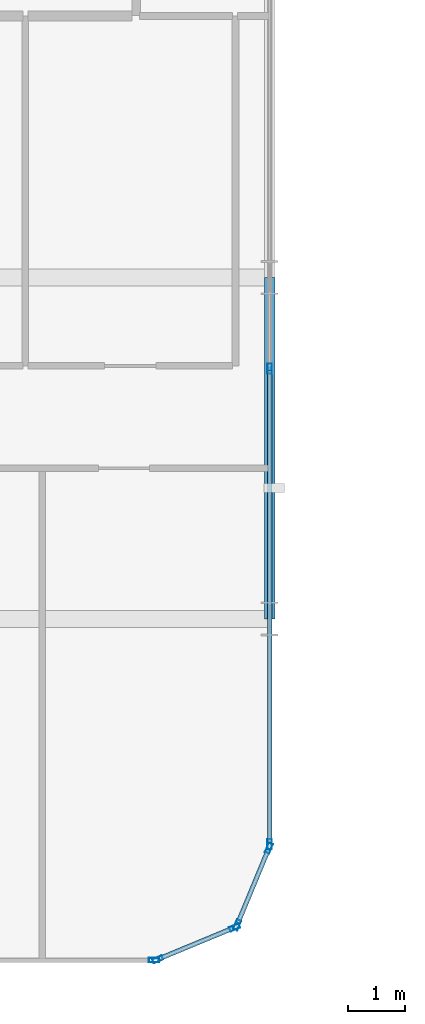
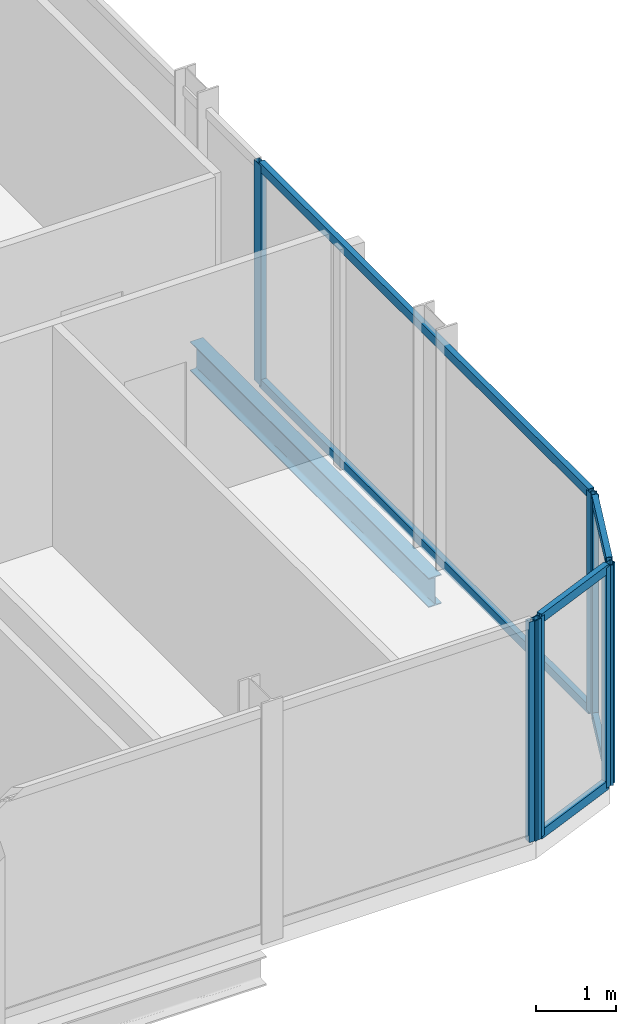
# One storey, part 10 of 29: 13 members, 1 beam, 4 elements without a shape of their own.
"""IFC4 building model written with IfcOpenShell, lengths in metres."""

from ifc_helpers import new_model, si_unit, direction, frame, origin, origin_2d, place, context, subcontext, project, spatial, hollow_rectangle, i_section, extrude, material, layer, layer_set, material_profile, profile_set, type_object, element, aggregate, save


model = new_model("IFC4")

# Units and contexts
model_context = context("Model", 3, precision=1e-05, world=origin(), true_north=direction((0.0, 1.0)))
body_context = subcontext(model_context, "Body", "Model", "MODEL_VIEW")
ifc_project = project(units=[si_unit("LENGTHUNIT", "METRE"), si_unit("AREAUNIT", "SQUARE_METRE"), si_unit("VOLUMEUNIT", "CUBIC_METRE"), si_unit("PLANEANGLEUNIT", "RADIAN"), si_unit("MASSUNIT", "GRAM", prefix="KILO")], contexts=[model_context])

# Site, building, storey
site_placement = place(None, origin())
site = spatial("IfcSite", under=ifc_project, at=site_placement, CompositionType="ELEMENT")
building_placement = place(site_placement, origin())
building = spatial("IfcBuilding", under=site, at=building_placement, Name="Keshet Zoharim Tower", CompositionType="ELEMENT")
storey_placement = place(building_placement, frame((0.0, 0.0, 94.60009765625)))
storey = spatial("IfcBuildingStorey", under=building, at=storey_placement, Name="L22", CompositionType="ELEMENT", Elevation=94.60009765625)

# Beam
ifc_material_1 = material(Name="Steel S355", Category="steel")
ifc_material_profile_1 = material_profile(ifc_material_1, i_section(OverallWidth=0.18994140625, OverallDepth=0.449951171875, WebThickness=0.009521484375, FlangeThickness=0.0146484375, FilletRadius=0.02099609375, at=origin_2d()), Name="IPE450")
ifc_profile_set_1 = profile_set([ifc_material_profile_1], Name="Steel S355")
beam_type = type_object("IfcBeamType", Name="BM-PRI-IP450", PredefinedType="BEAM", material=ifc_profile_set_1)
beam_placement = place(storey_placement, frame((57.0, 6.699951171875, -0.5400390625), z_axis=(0.0, 1.0, 0.0), x_axis=(-1.0, 0.0, 0.0)))
element("IfcBeam", 1, at=beam_placement, inside=storey, type_object=beam_type, Name="L22 Primary Girder Y-013", PredefinedType="BEAM", context=body_context, shape_type="SweptSolid", body=[
    extrude(i_section(OverallWidth=0.18994140625, OverallDepth=0.449951171875, WebThickness=0.009521484375, FlangeThickness=0.0146484375, FilletRadius=0.02099609375, at=origin_2d()), origin(), (0.0, 0.0, 1.0), 6.0),
])

# Curtain wall, members
ifc_material_2 = material(Name="Aluminium 6063-T6", Category="aluminium")
ifc_layer = layer(ifc_material_2, 0.159912109375)
ifc_layer_set = layer_set([ifc_layer], Name="Aluminium 6063-T6")
curtain_wall_type = type_object("IfcCurtainWallType", Name="CW-SYS-03", PredefinedType="NOTDEFINED", material=ifc_layer_set)
curtain_wall_1_placement = place(storey_placement, origin())
curtain_wall_1 = element("IfcCurtainWall", 2, at=curtain_wall_1_placement, inside=storey, type_object=curtain_wall_type, Name="L22 Unitised Curtain Wall 01", PredefinedType="NOTDEFINED")
ifc_material_profile_2 = material_profile(ifc_material_2, hollow_rectangle(XDim=0.080078125, YDim=0.179931640625, WallThickness=0.00439453125, at=origin_2d()), Name="MUL-80x180")
ifc_profile_set_2 = profile_set([ifc_material_profile_2], Name="Aluminium 6063-T6")
member_type_1 = type_object("IfcMemberType", Name="CWM-M18", PredefinedType="MULLION", material=ifc_profile_set_2)
member_1_placement = place(storey_placement, frame((56.986572265625, 2.667724609375, 0.0), z_axis=(0.0, 0.0, 1.0), x_axis=(0.92380975372, -0.382851849847, 0.0)))
member_1 = element("IfcMember", 3, at=member_1_placement, type_object=member_type_1, Name="CW-03 mullion 1", PredefinedType="MULLION", context=body_context, shape_type="SweptSolid", body=[
    extrude(hollow_rectangle(XDim=0.080078125, YDim=0.179931640625, WallThickness=0.00439453125, at=origin_2d()), origin(), (0.0, 0.0, 1.0), 3.385009765625),
])
member_2_placement = place(storey_placement, frame((56.427490234375, 1.318359375, 0.0), z_axis=(0.0, 0.0, 1.0), x_axis=(0.92380975372, -0.382851849847, 0.0)))
member_2 = element("IfcMember", 4, at=member_2_placement, type_object=member_type_1, Name="CW-03 mullion 2", PredefinedType="MULLION", context=body_context, shape_type="SweptSolid", body=[
    extrude(hollow_rectangle(XDim=0.080078125, YDim=0.179931640625, WallThickness=0.00439453125, at=origin_2d()), origin(), (0.0, 0.0, 1.0), 3.385009765625),
])

curtain_wall_2_placement = place(storey_placement, origin())
curtain_wall_2 = element("IfcCurtainWall", 5, at=curtain_wall_2_placement, inside=storey, type_object=curtain_wall_type, Name="L22 Unitised Curtain Wall 02", PredefinedType="NOTDEFINED")
member_3_placement = place(storey_placement, frame((56.381591796875, 1.272705078125, 0.0), z_axis=(0.0, 0.0, 1.0), x_axis=(0.382851849847, -0.92380975372, 0.0)))
member_3 = element("IfcMember", 6, at=member_3_placement, type_object=member_type_1, Name="CW-03 mullion 1", PredefinedType="MULLION", context=body_context, shape_type="SweptSolid", body=[
    extrude(hollow_rectangle(XDim=0.080078125, YDim=0.179931640625, WallThickness=0.00439453125, at=origin_2d()), origin(), (0.0, 0.0, 1.0), 3.385009765625),
])
member_4_placement = place(storey_placement, frame((55.0322265625, 0.71337890625, 0.0), z_axis=(0.0, 0.0, 1.0), x_axis=(0.382851849847, -0.92380975372, 0.0)))
member_4 = element("IfcMember", 7, at=member_4_placement, type_object=member_type_1, Name="CW-03 mullion 2", PredefinedType="MULLION", context=body_context, shape_type="SweptSolid", body=[
    extrude(hollow_rectangle(XDim=0.080078125, YDim=0.179931640625, WallThickness=0.00439453125, at=origin_2d()), origin(), (0.0, 0.0, 1.0), 3.385009765625),
])

# Curtain wall, member
curtain_wall_3_placement = place(storey_placement, origin())
curtain_wall_3 = element("IfcCurtainWall", 8, at=curtain_wall_3_placement, inside=storey, type_object=curtain_wall_type, Name="L22 Unitised Curtain Wall 03", PredefinedType="NOTDEFINED")
member_5_placement = place(storey_placement, frame((54.965087890625, 0.699951171875, 0.0), z_axis=(0.0, 0.0, 1.0), x_axis=(0.0, -1.0, 0.0)))
member_5 = element("IfcMember", 9, at=member_5_placement, type_object=member_type_1, Name="CW-03 mullion 1", PredefinedType="MULLION", context=body_context, shape_type="SweptSolid", body=[
    extrude(hollow_rectangle(XDim=0.080078125, YDim=0.179931640625, WallThickness=0.00439453125, at=origin_2d()), origin(), (0.0, 0.0, 1.0), 3.385009765625),
])
aggregate(curtain_wall_3, [member_5])

# Curtain wall, members
curtain_wall_4_placement = place(storey_placement, origin())
curtain_wall_4 = element("IfcCurtainWall", 10, at=curtain_wall_4_placement, inside=storey, type_object=curtain_wall_type, Name="L22 Unitised Curtain Wall 19", PredefinedType="NOTDEFINED")
member_6_placement = place(storey_placement, frame((57.0, 11.10009765625, 0.0), z_axis=(0.0, 0.0, 1.0), x_axis=(1.0, 0.0, 0.0)))
member_6 = element("IfcMember", 11, at=member_6_placement, type_object=member_type_1, Name="CW-03 mullion 3", PredefinedType="MULLION", context=body_context, shape_type="SweptSolid", body=[
    extrude(hollow_rectangle(XDim=0.080078125, YDim=0.179931640625, WallThickness=0.00439453125, at=origin_2d()), origin(), (0.0, 0.0, 1.0), 3.385009765625),
])
member_7_placement = place(storey_placement, frame((57.0, 2.735107421875, 0.0), z_axis=(0.0, 0.0, 1.0), x_axis=(1.0, 0.0, 0.0)))
member_7 = element("IfcMember", 12, at=member_7_placement, type_object=member_type_1, Name="CW-03 mullion 4", PredefinedType="MULLION", context=body_context, shape_type="SweptSolid", body=[
    extrude(hollow_rectangle(XDim=0.080078125, YDim=0.179931640625, WallThickness=0.00439453125, at=origin_2d()), origin(), (0.0, 0.0, 1.0), 3.385009765625),
])

# Member
ifc_material_profile_3 = material_profile(ifc_material_2, hollow_rectangle(XDim=0.080078125, YDim=0.139892578125, WallThickness=0.00390625, at=origin_2d()), Name="TRN-80x140")
ifc_profile_set_3 = profile_set([ifc_material_profile_3], Name="Aluminium 6063-T6")
member_type_2 = type_object("IfcMemberType", Name="CWT-T14", PredefinedType="USERDEFINED", material=ifc_profile_set_3)
member_8_placement = place(storey_placement, frame((56.97314453125, 2.63525390625, 0.034912109375), z_axis=(-0.382744609247, -0.923854189844, 0.0), x_axis=(0.923854189844, -0.382744609247, 0.0)))
member_8 = element("IfcMember", 13, at=member_8_placement, type_object=member_type_2, Name="CW-03 transom 1.1", ObjectType="TRANSOM", PredefinedType="USERDEFINED", context=body_context, shape_type="SweptSolid", body=[
    extrude(hollow_rectangle(XDim=0.080078125, YDim=0.139892578125, WallThickness=0.00390625, at=origin_2d()), origin(), (0.0, 0.0, 1.0), 1.390625),
])

member_9_placement = place(storey_placement, frame((56.97314453125, 2.63525390625, 3.349853515625), z_axis=(-0.382744609247, -0.923854189844, 0.0), x_axis=(0.923854189844, -0.382744609247, 0.0)))
member_9 = element("IfcMember", 14, at=member_9_placement, type_object=member_type_2, Name="CW-03 transom 1.2", ObjectType="TRANSOM", PredefinedType="USERDEFINED", context=body_context, shape_type="SweptSolid", body=[
    extrude(hollow_rectangle(XDim=0.080078125, YDim=0.139892578125, WallThickness=0.00390625, at=origin_2d()), origin(), (0.0, 0.0, 1.0), 1.390625),
])

aggregate(curtain_wall_1, [member_1, member_2, member_8, member_9])

member_10_placement = place(storey_placement, frame((56.349365234375, 1.25927734375, 0.034912109375), z_axis=(-0.92379209995, -0.382894445076, 0.0), x_axis=(0.382894445076, -0.92379209995, 0.0)))
member_10 = element("IfcMember", 15, at=member_10_placement, type_object=member_type_2, Name="CW-03 transom 1.1", ObjectType="TRANSOM", PredefinedType="USERDEFINED", context=body_context, shape_type="SweptSolid", body=[
    extrude(hollow_rectangle(XDim=0.080078125, YDim=0.139892578125, WallThickness=0.00390625, at=origin_2d()), origin(), (0.0, 0.0, 1.0), 1.390625),
])

member_11_placement = place(storey_placement, frame((56.349365234375, 1.25927734375, 3.349853515625), z_axis=(-0.92379209995, -0.382894445076, 0.0), x_axis=(0.382894445076, -0.92379209995, 0.0)))
member_11 = element("IfcMember", 16, at=member_11_placement, type_object=member_type_2, Name="CW-03 transom 1.2", ObjectType="TRANSOM", PredefinedType="USERDEFINED", context=body_context, shape_type="SweptSolid", body=[
    extrude(hollow_rectangle(XDim=0.080078125, YDim=0.139892578125, WallThickness=0.00390625, at=origin_2d()), origin(), (0.0, 0.0, 1.0), 1.390625),
])

aggregate(curtain_wall_2, [member_3, member_4, member_10, member_11])

member_12_placement = place(storey_placement, frame((57.0, 11.06494140625, 0.034912109375), z_axis=(0.0, -1.0, 0.0), x_axis=(1.0, 0.0, 0.0)))
member_12 = element("IfcMember", 17, at=member_12_placement, type_object=member_type_2, Name="CW-03 transom 3.1", ObjectType="TRANSOM", PredefinedType="USERDEFINED", context=body_context, shape_type="SweptSolid", body=[
    extrude(hollow_rectangle(XDim=0.080078125, YDim=0.139892578125, WallThickness=0.00390625, at=origin_2d()), origin(), (0.0, 0.0, 1.0), 8.294921875),
])

member_13_placement = place(storey_placement, frame((57.0, 11.06494140625, 3.349853515625), z_axis=(0.0, -1.0, 0.0), x_axis=(1.0, 0.0, 0.0)))
member_13 = element("IfcMember", 18, at=member_13_placement, type_object=member_type_2, Name="CW-03 transom 3.2", ObjectType="TRANSOM", PredefinedType="USERDEFINED", context=body_context, shape_type="SweptSolid", body=[
    extrude(hollow_rectangle(XDim=0.080078125, YDim=0.139892578125, WallThickness=0.00390625, at=origin_2d()), origin(), (0.0, 0.0, 1.0), 8.294921875),
])

aggregate(curtain_wall_4, [member_6, member_7, member_12, member_13])

save(model, "model.ifc")
